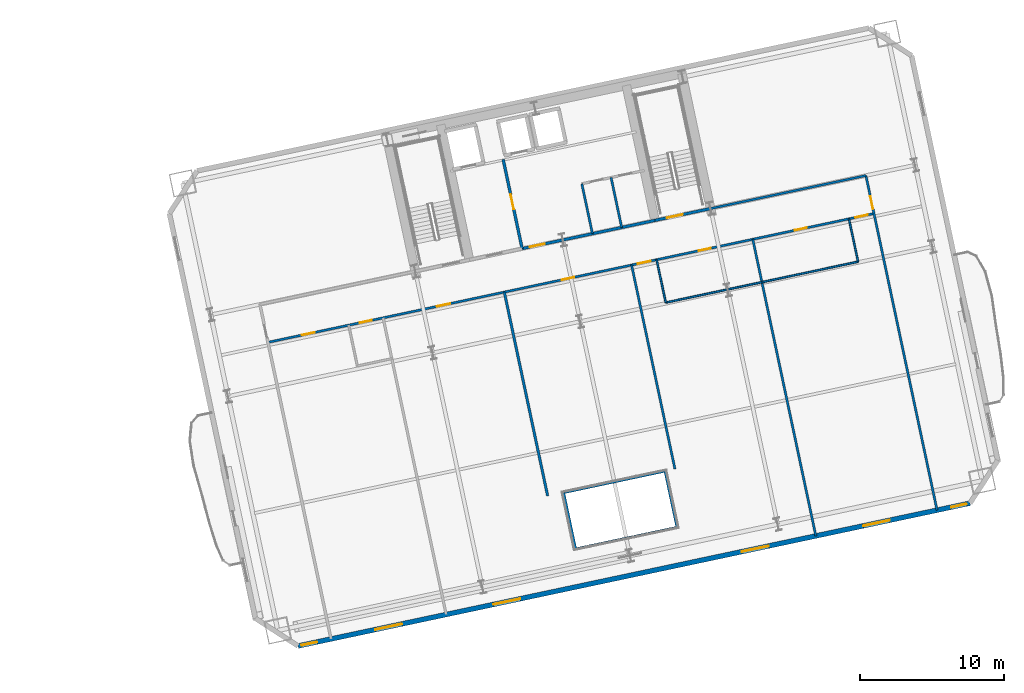
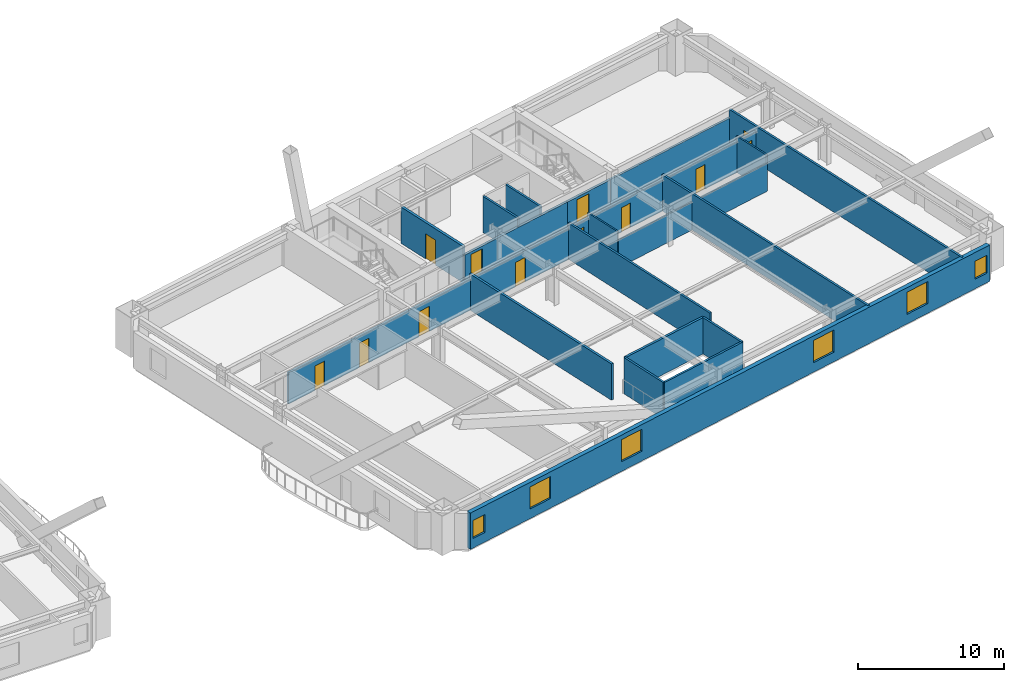
# One storey, part 8 of 17: 20 walls, 12 doors, 6 windows, 18 openings.
"""IFC4 building model written with IfcOpenShell, lengths in metres."""

from ifc_helpers import new_model, si_unit, direction, frame, frame_2d, origin, place, context, subcontext, project, spatial, rectangle, extrude, material, layer, layer_set, type_object, element, fill, save


model = new_model("IFC4")

# Units and contexts
model_context = context("Model", 3, precision=1e-05, world=origin(), true_north=direction((0.0, 1.0)))
body_context = subcontext(model_context, "Body", "Model", "MODEL_VIEW")
ifc_project = project(units=[si_unit("LENGTHUNIT", "METRE"), si_unit("AREAUNIT", "SQUARE_METRE"), si_unit("VOLUMEUNIT", "CUBIC_METRE"), si_unit("PLANEANGLEUNIT", "RADIAN"), si_unit("MASSUNIT", "GRAM", prefix="KILO")], contexts=[model_context])

# Site, building, storey
site_placement = place(None, origin())
site = spatial("IfcSite", under=ifc_project, at=site_placement, CompositionType="ELEMENT")
building_placement = place(site_placement, origin())
building = spatial("IfcBuilding", under=site, at=building_placement, Name="Haevon Station Towers", CompositionType="ELEMENT")
storey_placement = place(building_placement, frame((0.0, 0.0, 40.5)))
storey = spatial("IfcBuildingStorey", under=building, at=storey_placement, Name="L09", CompositionType="ELEMENT", Elevation=40.5)

# Walls
ifc_material_1 = material(Name="Gypsum board on steel stud", Category="steel")
ifc_layer_1 = layer(ifc_material_1, 0.179931640625)
ifc_layer_set_1 = layer_set([ifc_layer_1], Name="Gypsum board on steel stud")
wall_type_1 = type_object("IfcWallType", Name="WL-ACU180", PredefinedType="PARTITIONING", material=ifc_layer_set_1)
wall_1_placement = place(storey_placement, frame((109.07763671875, 22.052978515625, 0.0), z_axis=(0.0, 0.0, 1.0), x_axis=(0.978151869997, 0.207891604498, 0.0)))
element("IfcWall", 1, at=wall_1_placement, inside=storey, type_object=wall_type_1, Name="WL-T2PT-L09-06", PredefinedType="PARTITIONING", context=body_context, shape_type="SweptSolid", body=[
    extrude(rectangle(XDim=7.199951171875, YDim=0.179931640625, at=frame_2d((3.60009765625, 0.0))), origin(), (0.0, 0.0, 1.0), 3.030029296875),
])
wall_2_placement = place(storey_placement, frame((107.961669921875, 21.815673828125, 0.0), z_axis=(0.0, 0.0, 1.0), x_axis=(-0.207923597401, 0.978145069836, 0.0)))
element("IfcWall", 2, at=wall_2_placement, inside=storey, type_object=wall_type_1, Name="WL-T2PT-L09-12", PredefinedType="PARTITIONING", context=body_context, shape_type="SweptSolid", body=[
    extrude(rectangle(XDim=14.5, YDim=0.179931640625, at=frame_2d((7.25, 0.0))), origin(), (0.0, 0.0, 1.0), 3.030029296875),
])

# Wall, opening, door
ifc_layer_2 = layer(ifc_material_1, 0.199951171875)
ifc_layer_set_2 = layer_set([ifc_layer_2], Name="Gypsum board on steel stud")
wall_type_2 = type_object("IfcWallType", Name="WL-COR200", PredefinedType="PARTITIONING", material=ifc_layer_set_2)
wall_3_placement = place(storey_placement, frame((115.4296875, 40.9873046875, 0.0), z_axis=(0.0, 0.0, 1.0), x_axis=(0.978146596989, 0.207916413008, 0.0)))
wall_3 = element("IfcWall", 3, at=wall_3_placement, inside=storey, type_object=wall_type_2, Name="WL-ST-ST4-L09", PredefinedType="PARTITIONING", context=body_context, shape_type="SweptSolid", body=[
    extrude(rectangle(XDim=3.9501953125, YDim=0.199951171875, at=frame_2d((1.97509765625, 0.0))), origin(), (0.0, 0.0, 1.0), 2.330078125),
])
opening_1_placement = place(wall_3_placement, frame((0.85009765625, 0.0, 0.0)))
opening_1 = element("IfcOpeningElement", 4, at=opening_1_placement, cuts=wall_3, Name="Opening DR-ST-ST4-L09", PredefinedType="OPENING", context=body_context, shape_type="SweptSolid", body=[
    extrude(rectangle(XDim=1.1201171875, YDim=2.10009765625, at=frame_2d((0.56005859375, 1.050048828125))), frame((0.0, 0.10986328125, 0.0), z_axis=(0.0, -1.0, 0.0), x_axis=(1.0, 0.0, 0.0)), (0.0, 0.0, 1.0), 0.219970703125),
])
ifc_material_2 = material(Name="Engineered oak timber", Category="wood")
door_type_1 = type_object("IfcDoorType", Name="DR-ST-1120", OperationType="NOTDEFINED", PredefinedType="DOOR", material=ifc_material_2)
door_1_placement = place(opening_1_placement, origin())
door_1 = element("IfcDoor", 5, at=door_1_placement, inside=storey, type_object=door_type_1, Name="L09 Escape Stair ST4 Fire Door", OperationType="SINGLE_SWING_RIGHT", OverallHeight=2.10009765625, OverallWidth=1.1201171875, PredefinedType="DOOR", context=body_context, shape_type="SweptSolid", body=[
    extrude(rectangle(XDim=1.1201171875, YDim=2.10009765625, at=frame_2d((0.56005859375, 1.050048828125))), frame((0.0, 0.02490234375, 0.0), z_axis=(0.0, -1.0, 0.0), x_axis=(1.0, 0.0, 0.0)), (0.0, 0.0, 1.0), 0.050048828125),
])
fill(opening_1, door_1)

wall_4_placement = place(storey_placement, frame((106.186279296875, 39.0224609375, 0.0), z_axis=(0.0, 0.0, 1.0), x_axis=(-0.207916691923, 0.978146537703, 0.0)))
wall_4 = element("IfcWall", 6, at=wall_4_placement, inside=storey, type_object=wall_type_2, Name="WL-T2FFL-L09-E", PredefinedType="PARTITIONING", context=body_context, shape_type="SweptSolid", body=[
    extrude(rectangle(XDim=6.35009765625, YDim=0.199951171875, at=frame_2d((3.175048828125, 0.0))), origin(), (0.0, 0.0, 1.0), 3.030029296875),
])
opening_2_placement = place(wall_4_placement, frame((2.800048828125, 0.0, 0.0)))
opening_2 = element("IfcOpeningElement", 7, at=opening_2_placement, cuts=wall_4, Name="Opening DR-T2FFL-L09-E", PredefinedType="OPENING", context=body_context, shape_type="SweptSolid", body=[
    extrude(rectangle(XDim=1.050048828125, YDim=2.10009765625, at=frame_2d((0.52490234375, 1.050048828125))), frame((0.0, 0.10986328125, 0.0), z_axis=(0.0, -1.0, 0.0), x_axis=(1.0, 0.0, 0.0)), (0.0, 0.0, 1.0), 0.219970703125),
])
door_type_2 = type_object("IfcDoorType", Name="DR-FD60-1050", OperationType="NOTDEFINED", PredefinedType="DOOR", material=ifc_material_2)
door_2_placement = place(opening_2_placement, origin())
door_2 = element("IfcDoor", 8, at=door_2_placement, inside=storey, type_object=door_type_2, Name="L09 Tower 2 Firefighting Lift Lobby Door E", OperationType="SINGLE_SWING_LEFT", OverallHeight=2.10009765625, OverallWidth=1.050048828125, PredefinedType="DOOR", context=body_context, shape_type="SweptSolid", body=[
    extrude(rectangle(XDim=1.050048828125, YDim=2.10009765625, at=frame_2d((0.52490234375, 1.050048828125))), frame((0.0, 0.02490234375, 0.0), z_axis=(0.0, -1.0, 0.0), x_axis=(1.0, 0.0, 0.0)), (0.0, 0.0, 1.0), 0.050048828125),
])
fill(opening_2, door_2)

wall_5_placement = place(storey_placement, frame((106.186279296875, 39.0224609375, 0.0), z_axis=(0.0, 0.0, 1.0), x_axis=(0.978145519981, 0.20792147975, 0.0)))
wall_5 = element("IfcWall", 9, at=wall_5_placement, inside=storey, type_object=wall_type_2, Name="WL-T2CLB-L09", PredefinedType="PARTITIONING", context=body_context, shape_type="SweptSolid", body=[
    extrude(rectangle(XDim=9.449951171875, YDim=0.199951171875, at=frame_2d((4.72509765625, 0.0))), origin(), (0.0, 0.0, 1.0), 2.330078125),
])
opening_3_placement = place(wall_5_placement, frame((0.550048828125, 0.0, 0.0)))
opening_3 = element("IfcOpeningElement", 10, at=opening_3_placement, cuts=wall_5, Name="Opening DR-T2CLB-L09-1", PredefinedType="OPENING", context=body_context, shape_type="SweptSolid", body=[
    extrude(rectangle(XDim=1.050048828125, YDim=2.10009765625, at=frame_2d((0.52490234375, 1.050048828125))), frame((0.0, 0.10986328125, 0.0), z_axis=(0.0, -1.0, 0.0), x_axis=(1.0, 0.0, 0.0)), (0.0, 0.0, 1.0), 0.219970703125),
])
door_3_placement = place(opening_3_placement, origin())
door_3 = element("IfcDoor", 11, at=door_3_placement, inside=storey, type_object=door_type_2, Name="L09 Tower 2 Core Lift Lobby Door 1", OperationType="SINGLE_SWING_LEFT", OverallHeight=2.10009765625, OverallWidth=1.050048828125, PredefinedType="DOOR", context=body_context, shape_type="SweptSolid", body=[
    extrude(rectangle(XDim=1.050048828125, YDim=2.10009765625, at=frame_2d((0.52490234375, 1.050048828125))), frame((0.0, 0.02490234375, 0.0), z_axis=(0.0, -1.0, 0.0), x_axis=(1.0, 0.0, 0.0)), (0.0, 0.0, 1.0), 0.050048828125),
])
fill(opening_3, door_3)

# Wall, openings, windows
ifc_material_3 = material(Name="Precast concrete C45/55", Category="concrete")
ifc_layer_3 = layer(ifc_material_3, 0.340087890625)
ifc_layer_set_3 = layer_set([ifc_layer_3], Name="Precast concrete C45/55")
wall_type_3 = type_object("IfcWallType", Name="WL-EXT-PIER340", PredefinedType="SOLIDWALL", material=ifc_layer_set_3)
wall_6_placement = place(storey_placement, frame((137.348876953125, 21.314697265625, 0.0), z_axis=(0.0, 0.0, 1.0), x_axis=(-0.97814729652, -0.207913122027, 0.0)))
wall_6 = element("IfcWall", 12, at=wall_6_placement, inside=storey, type_object=wall_type_3, Name="WL-T2-L09-S", PredefinedType="SOLIDWALL", context=body_context, shape_type="SweptSolid", body=[
    extrude(rectangle(XDim=47.800048828125, YDim=0.340087890625, at=frame_2d((23.89990234375, 0.0))), origin(), (0.0, 0.0, 1.0), 3.030029296875),
])
opening_4_placement = place(wall_6_placement, frame((46.449951171875, 0.0, 0.800048828125)))
opening_4 = element("IfcOpeningElement", 13, at=opening_4_placement, cuts=wall_6, Name="Opening WN-COR110", PredefinedType="OPENING", context=body_context, shape_type="SweptSolid", body=[
    extrude(rectangle(XDim=1.10009765625, YDim=1.5, at=frame_2d((0.550048828125, 0.75))), frame((0.0, 0.179931640625, 0.0), z_axis=(0.0, -1.0, 0.0), x_axis=(1.0, 0.0, 0.0)), (0.0, 0.0, 1.0), 0.360107421875),
])
opening_5_placement = place(wall_6_placement, frame((0.25, 0.0, 0.800048828125)))
opening_5 = element("IfcOpeningElement", 14, at=opening_5_placement, cuts=wall_6, Name="Opening WN-COR110", PredefinedType="OPENING", context=body_context, shape_type="SweptSolid", body=[
    extrude(rectangle(XDim=1.10009765625, YDim=1.5, at=frame_2d((0.550048828125, 0.75))), frame((0.0, 0.179931640625, 0.0), z_axis=(0.0, -1.0, 0.0), x_axis=(1.0, 0.0, 0.0)), (0.0, 0.0, 1.0), 0.360107421875),
])
opening_6_placement = place(wall_6_placement, frame((40.405517578125, 0.0, 0.800048828125)))
opening_6 = element("IfcOpeningElement", 15, at=opening_6_placement, cuts=wall_6, Name="Opening WN-P190", PredefinedType="OPENING", context=body_context, shape_type="SweptSolid", body=[
    extrude(rectangle(XDim=1.89990234375, YDim=1.85009765625, at=frame_2d((0.949951171875, 0.925048828125))), frame((0.0, 0.179931640625, 0.0), z_axis=(0.0, -1.0, 0.0), x_axis=(1.0, 0.0, 0.0)), (0.0, 0.0, 1.0), 0.360107421875),
])
opening_7_placement = place(wall_6_placement, frame((32.0009765625, 0.0, 0.800048828125)))
opening_7 = element("IfcOpeningElement", 16, at=opening_7_placement, cuts=wall_6, Name="Opening WN-P190", PredefinedType="OPENING", context=body_context, shape_type="SweptSolid", body=[
    extrude(rectangle(XDim=1.89990234375, YDim=1.85009765625, at=frame_2d((0.949951171875, 0.925048828125))), frame((0.0, 0.179931640625, 0.0), z_axis=(0.0, -1.0, 0.0), x_axis=(1.0, 0.0, 0.0)), (0.0, 0.0, 1.0), 0.360107421875),
])
opening_8_placement = place(wall_6_placement, frame((14.330078125, 0.0, 0.800048828125)))
opening_8 = element("IfcOpeningElement", 17, at=opening_8_placement, cuts=wall_6, Name="Opening WN-P190", PredefinedType="OPENING", context=body_context, shape_type="SweptSolid", body=[
    extrude(rectangle(XDim=1.89990234375, YDim=1.85009765625, at=frame_2d((0.949951171875, 0.925048828125))), frame((0.0, 0.179931640625, 0.0), z_axis=(0.0, -1.0, 0.0), x_axis=(1.0, 0.0, 0.0)), (0.0, 0.0, 1.0), 0.360107421875),
])
opening_9_placement = place(wall_6_placement, frame((5.7099609375, 0.0, 0.800048828125)))
opening_9 = element("IfcOpeningElement", 18, at=opening_9_placement, cuts=wall_6, Name="Opening WN-P190", PredefinedType="OPENING", context=body_context, shape_type="SweptSolid", body=[
    extrude(rectangle(XDim=1.89990234375, YDim=1.85009765625, at=frame_2d((0.949951171875, 0.925048828125))), frame((0.0, 0.179931640625, 0.0), z_axis=(0.0, -1.0, 0.0), x_axis=(1.0, 0.0, 0.0)), (0.0, 0.0, 1.0), 0.360107421875),
])
ifc_material_4 = material(Name="Low-E triple glazing in thermally broken aluminium", Category="aluminium")
window_type_1 = type_object("IfcWindowType", Name="WN-COR110", PartitioningType="SINGLE_PANEL", PredefinedType="WINDOW", material=ifc_material_4)
window_1_placement = place(opening_4_placement, origin())
window_1 = element("IfcWindow", 19, at=window_1_placement, inside=storey, type_object=window_type_1, Name="WN-T2-L09-S01", OverallHeight=1.5, OverallWidth=1.10009765625, PartitioningType="SINGLE_PANEL", PredefinedType="WINDOW", context=body_context, shape_type="SweptSolid", body=[
    extrude(rectangle(XDim=1.10009765625, YDim=1.5, at=frame_2d((0.550048828125, 0.75))), frame((0.0, 0.030029296875, 0.0), z_axis=(0.0, -1.0, 0.0), x_axis=(1.0, 0.0, 0.0)), (0.0, 0.0, 1.0), 0.06005859375),
])
fill(opening_4, window_1)
window_2_placement = place(opening_5_placement, origin())
window_2 = element("IfcWindow", 20, at=window_2_placement, inside=storey, type_object=window_type_1, Name="WN-T2-L09-S02", OverallHeight=1.5, OverallWidth=1.10009765625, PartitioningType="SINGLE_PANEL", PredefinedType="WINDOW", context=body_context, shape_type="SweptSolid", body=[
    extrude(rectangle(XDim=1.10009765625, YDim=1.5, at=frame_2d((0.550048828125, 0.75))), frame((0.0, 0.030029296875, 0.0), z_axis=(0.0, -1.0, 0.0), x_axis=(1.0, 0.0, 0.0)), (0.0, 0.0, 1.0), 0.06005859375),
])
fill(opening_5, window_2)
window_type_2 = type_object("IfcWindowType", Name="WN-P190", PartitioningType="SINGLE_PANEL", PredefinedType="WINDOW", material=ifc_material_4)
window_3_placement = place(opening_6_placement, origin())
window_3 = element("IfcWindow", 21, at=window_3_placement, inside=storey, type_object=window_type_2, Name="WN-T2-L09-S03", OverallHeight=1.85009765625, OverallWidth=1.89990234375, PartitioningType="SINGLE_PANEL", PredefinedType="WINDOW", context=body_context, shape_type="SweptSolid", body=[
    extrude(rectangle(XDim=1.89990234375, YDim=1.85009765625, at=frame_2d((0.949951171875, 0.925048828125))), frame((0.0, 0.030029296875, 0.0), z_axis=(0.0, -1.0, 0.0), x_axis=(1.0, 0.0, 0.0)), (0.0, 0.0, 1.0), 0.06005859375),
])
fill(opening_6, window_3)
window_4_placement = place(opening_7_placement, origin())
window_4 = element("IfcWindow", 22, at=window_4_placement, inside=storey, type_object=window_type_2, Name="WN-T2-L09-S04", OverallHeight=1.85009765625, OverallWidth=1.89990234375, PartitioningType="SINGLE_PANEL", PredefinedType="WINDOW", context=body_context, shape_type="SweptSolid", body=[
    extrude(rectangle(XDim=1.89990234375, YDim=1.85009765625, at=frame_2d((0.949951171875, 0.925048828125))), frame((0.0, 0.030029296875, 0.0), z_axis=(0.0, -1.0, 0.0), x_axis=(1.0, 0.0, 0.0)), (0.0, 0.0, 1.0), 0.06005859375),
])
fill(opening_7, window_4)
window_5_placement = place(opening_8_placement, origin())
window_5 = element("IfcWindow", 23, at=window_5_placement, inside=storey, type_object=window_type_2, Name="WN-T2-L09-S05", OverallHeight=1.85009765625, OverallWidth=1.89990234375, PartitioningType="SINGLE_PANEL", PredefinedType="WINDOW", context=body_context, shape_type="SweptSolid", body=[
    extrude(rectangle(XDim=1.89990234375, YDim=1.85009765625, at=frame_2d((0.949951171875, 0.925048828125))), frame((0.0, 0.030029296875, 0.0), z_axis=(0.0, -1.0, 0.0), x_axis=(1.0, 0.0, 0.0)), (0.0, 0.0, 1.0), 0.06005859375),
])
fill(opening_8, window_5)
window_6_placement = place(opening_9_placement, origin())
window_6 = element("IfcWindow", 24, at=window_6_placement, inside=storey, type_object=window_type_2, Name="WN-T2-L09-S06", OverallHeight=1.85009765625, OverallWidth=1.89990234375, PartitioningType="SINGLE_PANEL", PredefinedType="WINDOW", context=body_context, shape_type="SweptSolid", body=[
    extrude(rectangle(XDim=1.89990234375, YDim=1.85009765625, at=frame_2d((0.949951171875, 0.925048828125))), frame((0.0, 0.030029296875, 0.0), z_axis=(0.0, -1.0, 0.0), x_axis=(1.0, 0.0, 0.0)), (0.0, 0.0, 1.0), 0.06005859375),
])
fill(opening_9, window_6)

# Walls
ifc_layer_4 = layer(ifc_material_1, 0.125)
ifc_layer_set_4 = layer_set([ifc_layer_4], Name="Gypsum board on steel stud")
wall_type_4 = type_object("IfcWallType", Name="WL-PRT125", PredefinedType="PARTITIONING", material=ifc_layer_set_4)
wall_7_placement = place(storey_placement, frame((116.17529296875, 35.267333984375, 0.0), z_axis=(0.0, 0.0, 1.0), x_axis=(0.97814687495, 0.207915105334, 0.0)))
element("IfcWall", 25, at=wall_7_placement, inside=storey, type_object=wall_type_4, Name="WL-T2PT-L09-15", PredefinedType="PARTITIONING", context=body_context, shape_type="SweptSolid", body=[
    extrude(rectangle(XDim=6.83984375, YDim=0.125, at=frame_2d((3.419921875, 0.0))), origin(), (0.0, 0.0, 1.0), 2.330078125),
])
wall_8_placement = place(storey_placement, frame((116.17529296875, 35.267333984375, 0.0), z_axis=(0.0, 0.0, 1.0), x_axis=(-0.207877902534, 0.978154782045, 0.0)))
element("IfcWall", 26, at=wall_8_placement, inside=storey, type_object=wall_type_4, Name="WL-T2PT-L09-16", PredefinedType="PARTITIONING", context=body_context, shape_type="SweptSolid", body=[
    extrude(rectangle(XDim=3.050048828125, YDim=0.125, at=frame_2d((1.52490234375, 0.0))), origin(), (0.0, 0.0, 1.0), 3.030029296875),
])
wall_9_placement = place(storey_placement, frame((122.86572265625, 36.689453125, 0.0), z_axis=(0.0, 0.0, 1.0), x_axis=(0.978148417856, 0.207907846525, 0.0)))
element("IfcWall", 27, at=wall_9_placement, inside=storey, type_object=wall_type_4, Name="WL-T2PT-L09-18", PredefinedType="PARTITIONING", context=body_context, shape_type="SweptSolid", body=[
    extrude(rectangle(XDim=6.840087890625, YDim=0.125, at=frame_2d((3.419921875, 0.0))), origin(), (0.0, 0.0, 1.0), 2.330078125),
])
wall_10_placement = place(storey_placement, frame((129.556396484375, 38.111572265625, 0.0), z_axis=(0.0, 0.0, 1.0), x_axis=(-0.207954487003, 0.978138503145, 0.0)))
element("IfcWall", 28, at=wall_10_placement, inside=storey, type_object=wall_type_4, Name="WL-T2PT-L09-19", PredefinedType="PARTITIONING", context=body_context, shape_type="SweptSolid", body=[
    extrude(rectangle(XDim=3.050048828125, YDim=0.125, at=frame_2d((1.52490234375, 0.0))), origin(), (0.0, 0.0, 1.0), 3.030029296875),
])
ifc_layer_5 = layer(ifc_material_1, 0.159912109375)
ifc_layer_set_5 = layer_set([ifc_layer_5], Name="Gypsum board on steel stud")
wall_type_5 = type_object("IfcWallType", Name="WL-PRT160", PredefinedType="PARTITIONING", material=ifc_layer_set_5)
for number, where, z_axis, x_axis, name in (
    (29, (111.076904296875, 40.06201171875, 0.0), (0.0, 0.0, 1.0), (-0.207899058817, 0.978150285663, 0.0), "WL-T2CW-L09-01"),
    (30, (113.111572265625, 40.49462890625, 0.0), (0.0, 0.0, 1.0), (-0.207899058817, 0.978150285663, 0.0), "WL-T2CW-L09-02"),
):
    element("IfcWall", number, at=place(storey_placement, frame(where, z_axis=z_axis, x_axis=x_axis)), inside=storey, type_object=wall_type_5, Name=name, PredefinedType="PARTITIONING", context=body_context, shape_type="SweptSolid", body=[
        extrude(rectangle(XDim=3.550048828125, YDim=0.159912109375, at=frame_2d((1.77490234375, 0.0))), origin(), (0.0, 0.0, 1.0), 3.030029296875),
    ])
wall_11_placement = place(storey_placement, frame((119.29345703125, 41.80859375, 0.0), z_axis=(0.0, 0.0, 1.0), x_axis=(0.978148967098, 0.207905262477, 0.0)))
element("IfcWall", 31, at=wall_11_placement, inside=storey, type_object=wall_type_5, Name="WL-T2PT-L09-02", PredefinedType="PARTITIONING", context=body_context, shape_type="SweptSolid", body=[
    extrude(rectangle(XDim=11.050048828125, YDim=0.159912109375, at=frame_2d((5.52490234375, 0.0))), origin(), (0.0, 0.0, 1.0), 2.330078125),
])

# Wall, opening, door
wall_12_placement = place(storey_placement, frame((135.05029296875, 20.826171875, 0.0), z_axis=(0.0, 0.0, 1.0), x_axis=(-0.207910528946, 0.978147847697, 0.0)))
wall_12 = element("IfcWall", 32, at=wall_12_placement, inside=storey, type_object=wall_type_5, Name="WL-T2PT-L09-04", PredefinedType="PARTITIONING", context=body_context, shape_type="SweptSolid", body=[
    extrude(rectangle(XDim=23.7998046875, YDim=0.159912109375, at=frame_2d((11.89990234375, 0.0))), origin(), (0.0, 0.0, 1.0), 3.030029296875),
])
opening_10_placement = place(wall_12_placement, frame((21.419921875, 0.0, 0.0)))
opening_10 = element("IfcOpeningElement", 33, at=opening_10_placement, cuts=wall_12, Name="Opening DR-WL-T2PT-L09-04-01", PredefinedType="OPENING", context=body_context, shape_type="SweptSolid", body=[
    extrude(rectangle(XDim=0.89990234375, YDim=2.050048828125, at=frame_2d((0.449951171875, 1.02490234375))), frame((0.0, 0.08984375, 0.0), z_axis=(0.0, -1.0, 0.0), x_axis=(1.0, 0.0, 0.0)), (0.0, 0.0, 1.0), 0.179931640625),
])
door_type_3 = type_object("IfcDoorType", Name="DR-INT-900", OperationType="NOTDEFINED", PredefinedType="DOOR", material=ifc_material_2)
door_4_placement = place(opening_10_placement, origin())
door_4 = element("IfcDoor", 34, at=door_4_placement, inside=storey, type_object=door_type_3, Name="L09 Tower 2 Room Door 4-1", OperationType="SINGLE_SWING_LEFT", OverallHeight=2.050048828125, OverallWidth=0.89990234375, PredefinedType="DOOR", context=body_context, shape_type="SweptSolid", body=[
    extrude(rectangle(XDim=0.89990234375, YDim=2.050048828125, at=frame_2d((0.449951171875, 1.02490234375))), frame((0.0, 0.02490234375, 0.0), z_axis=(0.0, -1.0, 0.0), x_axis=(1.0, 0.0, 0.0)), (0.0, 0.0, 1.0), 0.050048828125),
])
fill(opening_10, door_4)

# Walls
wall_13_placement = place(storey_placement, frame((109.9091796875, 18.140380859375, 0.0), z_axis=(0.0, 0.0, 1.0), x_axis=(0.978151869997, 0.207891604498, 0.0)))
element("IfcWall", 35, at=wall_13_placement, inside=storey, type_object=wall_type_5, Name="WL-T2PT-L09-05", PredefinedType="PARTITIONING", context=body_context, shape_type="SweptSolid", body=[
    extrude(rectangle(XDim=7.199951171875, YDim=0.159912109375, at=frame_2d((3.60009765625, 0.0))), origin(), (0.0, 0.0, 1.0), 3.030029296875),
])
for number, where, z_axis, x_axis, name in (
    (36, (109.9091796875, 18.140380859375, 0.0), (0.0, 0.0, 1.0), (-0.207886494942, 0.978152955943, 0.0), "WL-T2PT-L09-07"),
    (37, (116.951904296875, 19.63720703125, 0.0), (0.0, 0.0, 1.0), (-0.207886494942, 0.978152955943, 0.0), "WL-T2PT-L09-08"),
):
    element("IfcWall", number, at=place(storey_placement, frame(where, z_axis=z_axis, x_axis=x_axis)), inside=storey, type_object=wall_type_5, Name=name, PredefinedType="PARTITIONING", context=body_context, shape_type="SweptSolid", body=[
        extrude(rectangle(XDim=4.0, YDim=0.159912109375, at=frame_2d((2.0, 0.0))), origin(), (0.0, 0.0, 1.0), 3.030029296875),
    ])
wall_14_placement = place(storey_placement, frame((116.814697265625, 23.697509765625, 0.0), z_axis=(0.0, 0.0, 1.0), x_axis=(-0.207907487947, 0.978148494072, 0.0)))
element("IfcWall", 38, at=wall_14_placement, inside=storey, type_object=wall_type_5, Name="WL-T2PT-L09-13", PredefinedType="PARTITIONING", context=body_context, shape_type="SweptSolid", body=[
    extrude(rectangle(XDim=14.5, YDim=0.159912109375, at=frame_2d((7.25, 0.0))), origin(), (0.0, 0.0, 1.0), 3.030029296875),
])
wall_15_placement = place(storey_placement, frame((126.61865234375, 19.033935546875, 0.0), z_axis=(0.0, 0.0, 1.0), x_axis=(-0.207912863691, 0.978147351431, 0.0)))
element("IfcWall", 39, at=wall_15_placement, inside=storey, type_object=wall_type_5, Name="WL-T2PT-L09-17", PredefinedType="PARTITIONING", context=body_context, shape_type="SweptSolid", body=[
    extrude(rectangle(XDim=21.10009765625, YDim=0.159912109375, at=frame_2d((10.550048828125, 0.0))), origin(), (0.0, 0.0, 1.0), 3.030029296875),
])

# Wall, openings, doors
wall_16_placement = place(storey_placement, frame((88.505126953125, 32.50390625, 0.0), z_axis=(0.0, 0.0, 1.0), x_axis=(0.978146756403, 0.20791566304, 0.0)))
wall_16 = element("IfcWall", 40, at=wall_16_placement, inside=storey, type_object=wall_type_5, Name="WL-T2PT-L09-20", PredefinedType="PARTITIONING", context=body_context, shape_type="SweptSolid", body=[
    extrude(rectangle(XDim=43.10009765625, YDim=0.159912109375, at=frame_2d((21.550048828125, 0.0))), origin(), (0.0, 0.0, 1.0), 2.6298828125),
])
opening_11_placement = place(wall_16_placement, frame((6.5390625, 0.0, 0.0)))
opening_11 = element("IfcOpeningElement", 41, at=opening_11_placement, cuts=wall_16, Name="Opening DR-WL-T2PT-L09-20-01", PredefinedType="OPENING", context=body_context, shape_type="SweptSolid", body=[
    extrude(rectangle(XDim=0.85009765625, YDim=2.050048828125, at=frame_2d((0.425048828125, 1.02490234375))), frame((0.0, 0.08984375, 0.0), z_axis=(0.0, -1.0, 0.0), x_axis=(1.0, 0.0, 0.0)), (0.0, 0.0, 1.0), 0.179931640625),
])
opening_12_placement = place(wall_16_placement, frame((2.419921875, 0.0, 0.0)))
opening_12 = element("IfcOpeningElement", 42, at=opening_12_placement, cuts=wall_16, Name="Opening DR-WL-T2PT-L09-20-02", PredefinedType="OPENING", context=body_context, shape_type="SweptSolid", body=[
    extrude(rectangle(XDim=0.89990234375, YDim=2.050048828125, at=frame_2d((0.449951171875, 1.02490234375))), frame((0.0, 0.08984375, 0.0), z_axis=(0.0, -1.0, 0.0), x_axis=(1.0, 0.0, 0.0)), (0.0, 0.0, 1.0), 0.179931640625),
])
opening_13_placement = place(wall_16_placement, frame((12.02392578125, 0.0, 0.0)))
opening_13 = element("IfcOpeningElement", 43, at=opening_13_placement, cuts=wall_16, Name="Opening DR-WL-T2PT-L09-20-03", PredefinedType="OPENING", context=body_context, shape_type="SweptSolid", body=[
    extrude(rectangle(XDim=0.949951171875, YDim=2.10009765625, at=frame_2d((0.47509765625, 1.050048828125))), frame((0.0, 0.08984375, 0.0), z_axis=(0.0, -1.0, 0.0), x_axis=(1.0, 0.0, 0.0)), (0.0, 0.0, 1.0), 0.179931640625),
])
opening_14_placement = place(wall_16_placement, frame((20.885009765625, 0.0, 0.0)))
opening_14 = element("IfcOpeningElement", 44, at=opening_14_placement, cuts=wall_16, Name="Opening DR-WL-T2PT-L09-20-04", PredefinedType="OPENING", context=body_context, shape_type="SweptSolid", body=[
    extrude(rectangle(XDim=0.89990234375, YDim=2.050048828125, at=frame_2d((0.449951171875, 1.02490234375))), frame((0.0, 0.08984375, 0.0), z_axis=(0.0, -1.0, 0.0), x_axis=(1.0, 0.0, 0.0)), (0.0, 0.0, 1.0), 0.179931640625),
])
opening_15_placement = place(wall_16_placement, frame((30.635009765625, 0.0, 0.0)))
opening_15 = element("IfcOpeningElement", 45, at=opening_15_placement, cuts=wall_16, Name="Opening DR-WL-T2PT-L09-20-05", PredefinedType="OPENING", context=body_context, shape_type="SweptSolid", body=[
    extrude(rectangle(XDim=0.85009765625, YDim=2.050048828125, at=frame_2d((0.425048828125, 1.02490234375))), frame((0.0, 0.08984375, 0.0), z_axis=(0.0, -1.0, 0.0), x_axis=(1.0, 0.0, 0.0)), (0.0, 0.0, 1.0), 0.179931640625),
])
opening_16_placement = place(wall_16_placement, frame((26.300048828125, 0.0, 0.0)))
opening_16 = element("IfcOpeningElement", 46, at=opening_16_placement, cuts=wall_16, Name="Opening DR-WL-T2PT-L09-20-06", PredefinedType="OPENING", context=body_context, shape_type="SweptSolid", body=[
    extrude(rectangle(XDim=0.89990234375, YDim=2.050048828125, at=frame_2d((0.449951171875, 1.02490234375))), frame((0.0, 0.08984375, 0.0), z_axis=(0.0, -1.0, 0.0), x_axis=(1.0, 0.0, 0.0)), (0.0, 0.0, 1.0), 0.179931640625),
])
opening_17_placement = place(wall_16_placement, frame((37.47509765625, 0.0, 0.0)))
opening_17 = element("IfcOpeningElement", 47, at=opening_17_placement, cuts=wall_16, Name="Opening DR-WL-T2PT-L09-20-07", PredefinedType="OPENING", context=body_context, shape_type="SweptSolid", body=[
    extrude(rectangle(XDim=0.85009765625, YDim=2.050048828125, at=frame_2d((0.425048828125, 1.02490234375))), frame((0.0, 0.08984375, 0.0), z_axis=(0.0, -1.0, 0.0), x_axis=(1.0, 0.0, 0.0)), (0.0, 0.0, 1.0), 0.179931640625),
])
opening_18_placement = place(wall_16_placement, frame((41.760009765625, 0.0, 0.0)))
opening_18 = element("IfcOpeningElement", 48, at=opening_18_placement, cuts=wall_16, Name="Opening DR-WL-T2PT-L09-20-08", PredefinedType="OPENING", context=body_context, shape_type="SweptSolid", body=[
    extrude(rectangle(XDim=0.89990234375, YDim=2.050048828125, at=frame_2d((0.449951171875, 1.02490234375))), frame((0.0, 0.08984375, 0.0), z_axis=(0.0, -1.0, 0.0), x_axis=(1.0, 0.0, 0.0)), (0.0, 0.0, 1.0), 0.179931640625),
])
door_type_4 = type_object("IfcDoorType", Name="DR-FD30-850", OperationType="NOTDEFINED", PredefinedType="DOOR", material=ifc_material_2)
door_5_placement = place(opening_11_placement, origin())
door_5 = element("IfcDoor", 49, at=door_5_placement, inside=storey, type_object=door_type_4, Name="L09 Tower 2 Room Door 20-1", OperationType="SINGLE_SWING_RIGHT", OverallHeight=2.050048828125, OverallWidth=0.85009765625, PredefinedType="DOOR", context=body_context, shape_type="SweptSolid", body=[
    extrude(rectangle(XDim=0.85009765625, YDim=2.050048828125, at=frame_2d((0.425048828125, 1.02490234375))), frame((0.0, 0.02490234375, 0.0), z_axis=(0.0, -1.0, 0.0), x_axis=(1.0, 0.0, 0.0)), (0.0, 0.0, 1.0), 0.050048828125),
])
fill(opening_11, door_5)
door_6_placement = place(opening_15_placement, origin())
door_6 = element("IfcDoor", 50, at=door_6_placement, inside=storey, type_object=door_type_4, Name="L09 Tower 2 Room Door 20-5", OperationType="SINGLE_SWING_RIGHT", OverallHeight=2.050048828125, OverallWidth=0.85009765625, PredefinedType="DOOR", context=body_context, shape_type="SweptSolid", body=[
    extrude(rectangle(XDim=0.85009765625, YDim=2.050048828125, at=frame_2d((0.425048828125, 1.02490234375))), frame((0.0, 0.02490234375, 0.0), z_axis=(0.0, -1.0, 0.0), x_axis=(1.0, 0.0, 0.0)), (0.0, 0.0, 1.0), 0.050048828125),
])
fill(opening_15, door_6)
door_7_placement = place(opening_17_placement, origin())
door_7 = element("IfcDoor", 51, at=door_7_placement, inside=storey, type_object=door_type_4, Name="L09 Tower 2 Room Door 20-7", OperationType="SINGLE_SWING_RIGHT", OverallHeight=2.050048828125, OverallWidth=0.85009765625, PredefinedType="DOOR", context=body_context, shape_type="SweptSolid", body=[
    extrude(rectangle(XDim=0.85009765625, YDim=2.050048828125, at=frame_2d((0.425048828125, 1.02490234375))), frame((0.0, 0.02490234375, 0.0), z_axis=(0.0, -1.0, 0.0), x_axis=(1.0, 0.0, 0.0)), (0.0, 0.0, 1.0), 0.050048828125),
])
fill(opening_17, door_7)
door_type_5 = type_object("IfcDoorType", Name="DR-FD30-950", OperationType="NOTDEFINED", PredefinedType="DOOR", material=ifc_material_2)
door_8_placement = place(opening_13_placement, origin())
door_8 = element("IfcDoor", 52, at=door_8_placement, inside=storey, type_object=door_type_5, Name="L09 Tower 2 Room Door 20-3", OperationType="SINGLE_SWING_RIGHT", OverallHeight=2.10009765625, OverallWidth=0.949951171875, PredefinedType="DOOR", context=body_context, shape_type="SweptSolid", body=[
    extrude(rectangle(XDim=0.949951171875, YDim=2.10009765625, at=frame_2d((0.47509765625, 1.050048828125))), frame((0.0, 0.02490234375, 0.0), z_axis=(0.0, -1.0, 0.0), x_axis=(1.0, 0.0, 0.0)), (0.0, 0.0, 1.0), 0.050048828125),
])
fill(opening_13, door_8)
door_9_placement = place(opening_12_placement, origin())
door_9 = element("IfcDoor", 53, at=door_9_placement, inside=storey, type_object=door_type_3, Name="L09 Tower 2 Room Door 20-2", OperationType="SINGLE_SWING_LEFT", OverallHeight=2.050048828125, OverallWidth=0.89990234375, PredefinedType="DOOR", context=body_context, shape_type="SweptSolid", body=[
    extrude(rectangle(XDim=0.89990234375, YDim=2.050048828125, at=frame_2d((0.449951171875, 1.02490234375))), frame((0.0, 0.02490234375, 0.0), z_axis=(0.0, -1.0, 0.0), x_axis=(1.0, 0.0, 0.0)), (0.0, 0.0, 1.0), 0.050048828125),
])
fill(opening_12, door_9)
door_10_placement = place(opening_14_placement, origin())
door_10 = element("IfcDoor", 54, at=door_10_placement, inside=storey, type_object=door_type_3, Name="L09 Tower 2 Room Door 20-4", OperationType="SINGLE_SWING_LEFT", OverallHeight=2.050048828125, OverallWidth=0.89990234375, PredefinedType="DOOR", context=body_context, shape_type="SweptSolid", body=[
    extrude(rectangle(XDim=0.89990234375, YDim=2.050048828125, at=frame_2d((0.449951171875, 1.02490234375))), frame((0.0, 0.02490234375, 0.0), z_axis=(0.0, -1.0, 0.0), x_axis=(1.0, 0.0, 0.0)), (0.0, 0.0, 1.0), 0.050048828125),
])
fill(opening_14, door_10)
door_11_placement = place(opening_16_placement, origin())
door_11 = element("IfcDoor", 55, at=door_11_placement, inside=storey, type_object=door_type_3, Name="L09 Tower 2 Room Door 20-6", OperationType="SINGLE_SWING_LEFT", OverallHeight=2.050048828125, OverallWidth=0.89990234375, PredefinedType="DOOR", context=body_context, shape_type="SweptSolid", body=[
    extrude(rectangle(XDim=0.89990234375, YDim=2.050048828125, at=frame_2d((0.449951171875, 1.02490234375))), frame((0.0, 0.02490234375, 0.0), z_axis=(0.0, -1.0, 0.0), x_axis=(1.0, 0.0, 0.0)), (0.0, 0.0, 1.0), 0.050048828125),
])
fill(opening_16, door_11)
door_12_placement = place(opening_18_placement, origin())
door_12 = element("IfcDoor", 56, at=door_12_placement, inside=storey, type_object=door_type_3, Name="L09 Tower 2 Room Door 20-8", OperationType="SINGLE_SWING_LEFT", OverallHeight=2.050048828125, OverallWidth=0.89990234375, PredefinedType="DOOR", context=body_context, shape_type="SweptSolid", body=[
    extrude(rectangle(XDim=0.89990234375, YDim=2.050048828125, at=frame_2d((0.449951171875, 1.02490234375))), frame((0.0, 0.02490234375, 0.0), z_axis=(0.0, -1.0, 0.0), x_axis=(1.0, 0.0, 0.0)), (0.0, 0.0, 1.0), 0.050048828125),
])
fill(opening_18, door_12)

save(model, "model.ifc")
